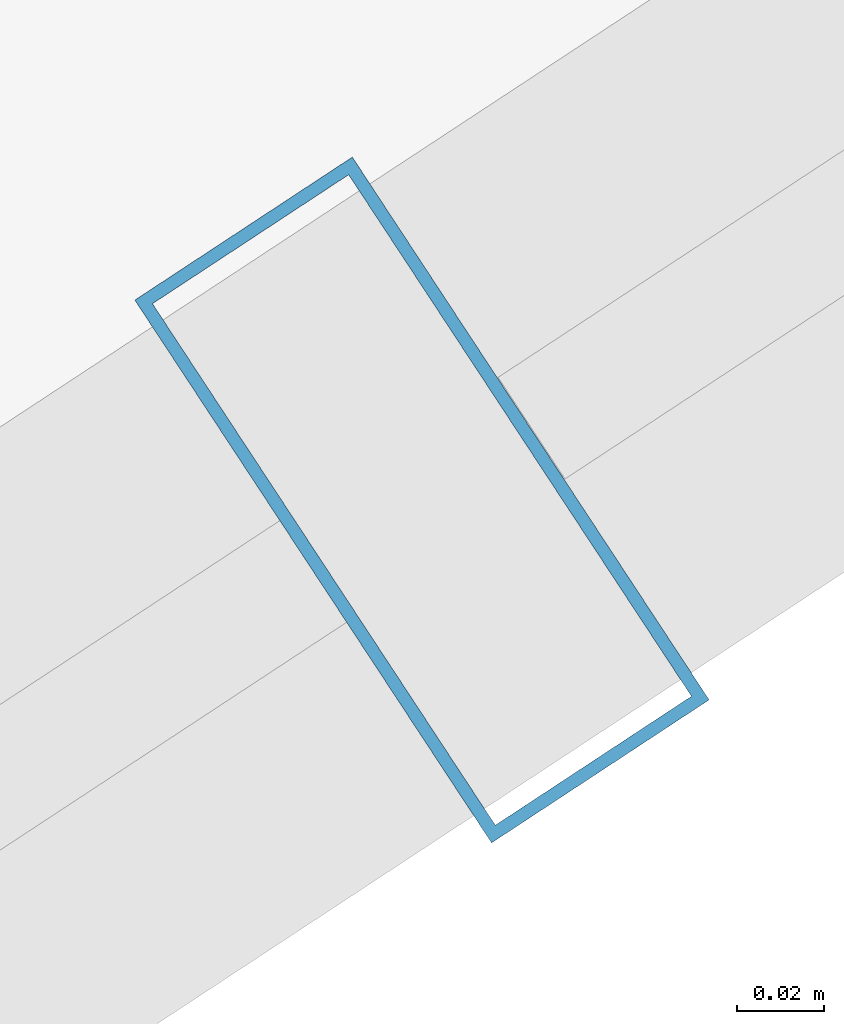
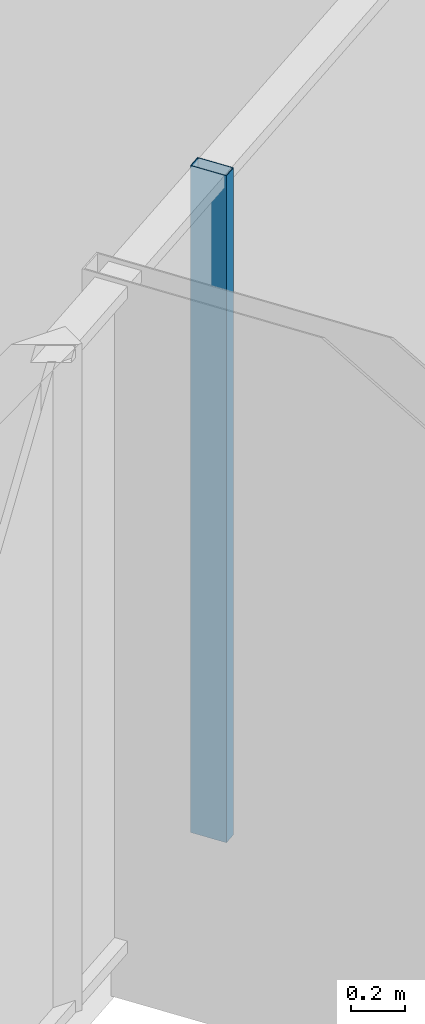
# One storey, part 10 of 33: 1 member, 1 element without a shape of its own.
"""IFC4 building model written with IfcOpenShell, lengths in metres."""

from ifc_helpers import new_model, si_unit, direction, frame, origin, origin_2d, place, context, subcontext, project, spatial, hollow_rectangle, extrude, source, transform, mapped, material, layer, layer_set, material_profile, profile_set, type_object, element, aggregate, save


model = new_model("IFC4")

# Units and contexts
model_context = context("Model", 3, precision=1e-05, world=origin(), true_north=direction((0.0, 1.0)))
body_context = subcontext(model_context, "Body", "Model", "MODEL_VIEW")
ifc_project = project(units=[si_unit("LENGTHUNIT", "METRE"), si_unit("AREAUNIT", "SQUARE_METRE"), si_unit("VOLUMEUNIT", "CUBIC_METRE"), si_unit("PLANEANGLEUNIT", "RADIAN"), si_unit("MASSUNIT", "GRAM", prefix="KILO")], contexts=[model_context])

# Site, building, storey
site_placement = place(None, origin())
site = spatial("IfcSite", under=ifc_project, at=site_placement, CompositionType="ELEMENT")
building_placement = place(site_placement, origin())
building = spatial("IfcBuilding", under=site, at=building_placement, Name="Veraguas Prism Commons", CompositionType="ELEMENT")
storey_placement = place(building_placement, frame((0.0, 0.0, 195.10009765625)))
storey = spatial("IfcBuildingStorey", under=building, at=storey_placement, Name="L55", CompositionType="ELEMENT", Elevation=195.10009765625)

# Curtain wall, member
ifc_material = material(Name="Anodised aluminium EN AW-6063 T6", Category="aluminium")
ifc_layer = layer(ifc_material, 0.14990234375, Name="Unitised Flush Curtain Wall Zone 3", Category="aluminium")
ifc_layer_set = layer_set([ifc_layer], Name="Anodised aluminium EN AW-6063 T6")
curtain_wall_type = type_object("IfcCurtainWallType", Name="Unitised Flush Curtain Wall Zone 3", PredefinedType="NOTDEFINED", material=ifc_layer_set)
curtain_wall_placement = place(storey_placement, origin())
curtain_wall = element("IfcCurtainWall", 1, at=curtain_wall_placement, inside=storey, type_object=curtain_wall_type, Name="Tower Facade Curtain Wall L55-F5", PredefinedType="NOTDEFINED")
ifc_material_profile = material_profile(ifc_material, hollow_rectangle(XDim=0.06005859375, YDim=0.14990234375, WallThickness=0.0029296875, at=origin_2d()), Name="AL60X150X3")
ifc_profile_set = profile_set([ifc_material_profile], Name="Anodised aluminium EN AW-6063 T6")
member_type = type_object("IfcMemberType", Name="Curtain Wall Mullion Upper AL 60x150x3", PredefinedType="MULLION", material=ifc_profile_set)
shared_shape = source(origin(), body_context, "Body", "SweptSolid", [
    extrude(hollow_rectangle(XDim=0.06005859375, YDim=0.14990234375, WallThickness=0.0029296875, at=origin_2d()), origin(), (0.0, 0.0, 1.0), 3.014892578125),
])
member_placement = place(storey_placement, frame((37.050537109375, 11.384765625, 0.0), z_axis=(0.0, 0.0, 1.0), x_axis=(0.835621417698, 0.549305785774, 0.0)))
member = element("IfcMember", 2, at=member_placement, type_object=member_type, Name="CW-Z3 Mullion 4", PredefinedType="MULLION", context=body_context, shape_type="MappedRepresentation", body=[
    mapped(shared_shape, transform((0.0, 0.0, 0.0), scale=1.0)),
])
aggregate(curtain_wall, [member])

save(model, "model.ifc")
